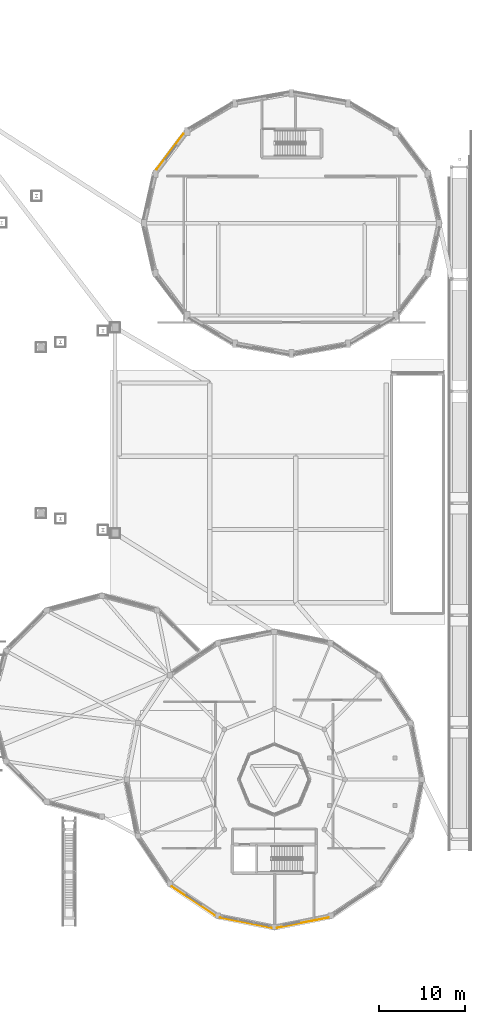
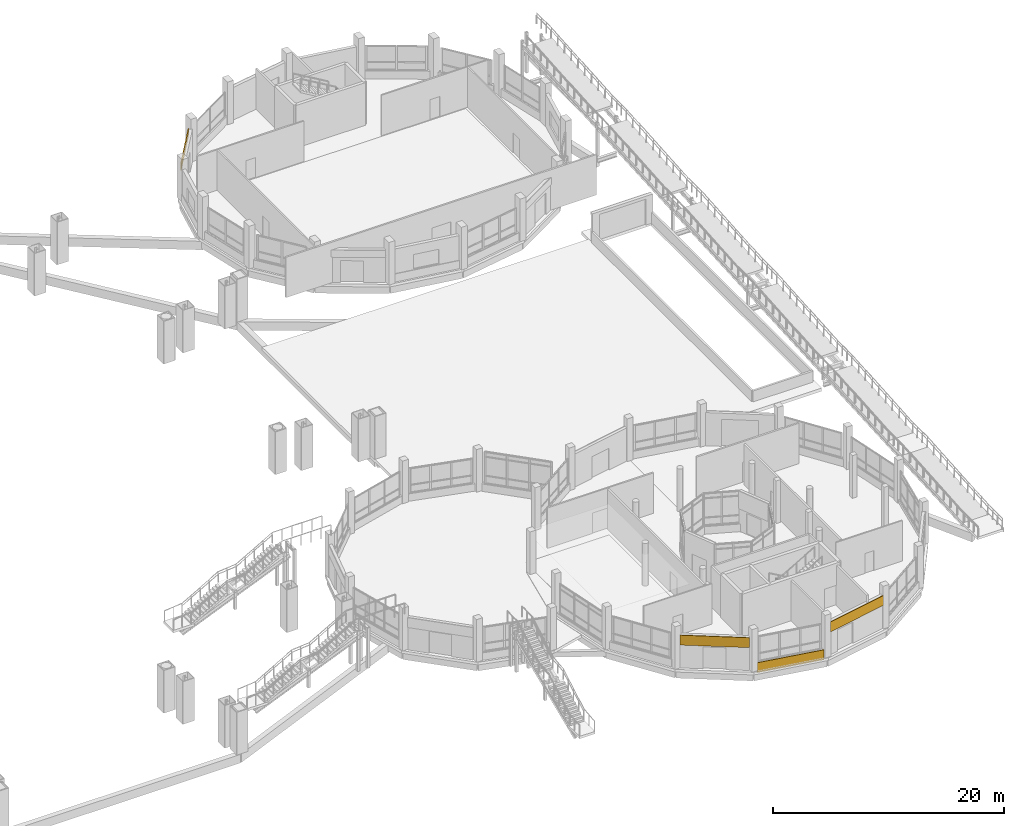
# One storey, part 125 of 129: 4 coverings.
"""IFC4 building model written with IfcOpenShell, lengths in metres."""

from ifc_helpers import new_model, si_unit, direction, frame, frame_2d, origin, place, context, subcontext, project, spatial, rectangle, extrude, material, layer, layer_set, type_object, element, save


model = new_model("IFC4")

# Units and contexts
model_context = context("Model", 3, precision=1e-05, world=origin(), true_north=direction((0.0, 1.0)))
body_context = subcontext(model_context, "Body", "Model", "MODEL_VIEW")
ifc_project = project(units=[si_unit("LENGTHUNIT", "METRE"), si_unit("AREAUNIT", "SQUARE_METRE"), si_unit("VOLUMEUNIT", "CUBIC_METRE"), si_unit("PLANEANGLEUNIT", "RADIAN"), si_unit("MASSUNIT", "GRAM", prefix="KILO")], contexts=[model_context])

# Site, building, storey
site_placement = place(None, origin())
site = spatial("IfcSite", under=ifc_project, at=site_placement, CompositionType="ELEMENT")
building_placement = place(site_placement, origin())
building = spatial("IfcBuilding", under=site, at=building_placement, Name="Vespera Passage Community Centre", CompositionType="ELEMENT")
storey_placement = place(building_placement, origin())
storey = spatial("IfcBuildingStorey", under=building, at=storey_placement, Name="L00", CompositionType="ELEMENT", Elevation=0.0)

# Coverings
ifc_material = material(Name="Precast concrete f'c 40 MPa", Category="concrete")
ifc_layer = layer(ifc_material, 0.06005859375)
ifc_layer_set = layer_set([ifc_layer], Name="Precast concrete f'c 40 MPa")
covering_type = type_object("IfcCoveringType", Name="COV-CLAD-60E", PredefinedType="CLADDING", material=ifc_layer_set)
covering_1_placement = place(storey_placement, frame((127.335205078125, 95.76953125, 2.699951171875), z_axis=(0.0, 0.0, 1.0), x_axis=(0.603398282319, 0.797439974477, 0.0)))
element("IfcCovering", 1, at=covering_1_placement, inside=storey, type_object=covering_type, Name="V2 L00 Exit White Fascia 7", PredefinedType="CLADDING", context=body_context, shape_type="SweptSolid", body=[
    extrude(rectangle(XDim=5.19873046875, YDim=0.06005859375, at=frame_2d((2.599365234375, 0.0))), origin(), (0.0, 0.0, 1.0), 0.7451171875),
])
covering_2_placement = place(storey_placement, frame((134.08251953125, 9.246826171875, 2.449951171875), z_axis=(0.0, 0.0, 1.0), x_axis=(-0.831467707354, 0.555573083966, 0.0)))
element("IfcCovering", 2, at=covering_2_placement, inside=storey, type_object=covering_type, Name="V3 L00 Exit White Band 11", PredefinedType="CLADDING", context=body_context, shape_type="SweptSolid", body=[
    extrude(rectangle(XDim=6.00048828125, YDim=0.06005859375, at=frame_2d((3.000244140625, 0.0))), origin(), (0.0, 0.0, 1.0), 1.045166015625),
])
covering_3_placement = place(storey_placement, frame((140.69140625, 7.7880859375, -0.260009765625), z_axis=(0.0, 0.0, 1.0), x_axis=(-0.98078300119, 0.195101780047, 0.0)))
element("IfcCovering", 3, at=covering_3_placement, inside=storey, type_object=covering_type, Name="V3 L00 White Spandrel Band 12", PredefinedType="CLADDING", context=body_context, shape_type="SweptSolid", body=[
    extrude(rectangle(XDim=6.1103515625, YDim=0.06005859375, at=frame_2d((3.05517578125, 0.0))), origin(), (0.0, 0.0, 1.0), 1.06005859375),
])
covering_4_placement = place(storey_placement, frame((147.301513671875, 8.980224609375, 2.449951171875), z_axis=(0.0, 0.0, 1.0), x_axis=(-0.98078300119, -0.195101780047, 0.0)))
element("IfcCovering", 4, at=covering_4_placement, inside=storey, type_object=covering_type, Name="V3 L00 Exit White Band 13", PredefinedType="CLADDING", context=body_context, shape_type="SweptSolid", body=[
    extrude(rectangle(XDim=6.1103515625, YDim=0.06005859375, at=frame_2d((3.05517578125, 0.0))), origin(), (0.0, 0.0, 1.0), 1.045166015625),
])

save(model, "model.ifc")
